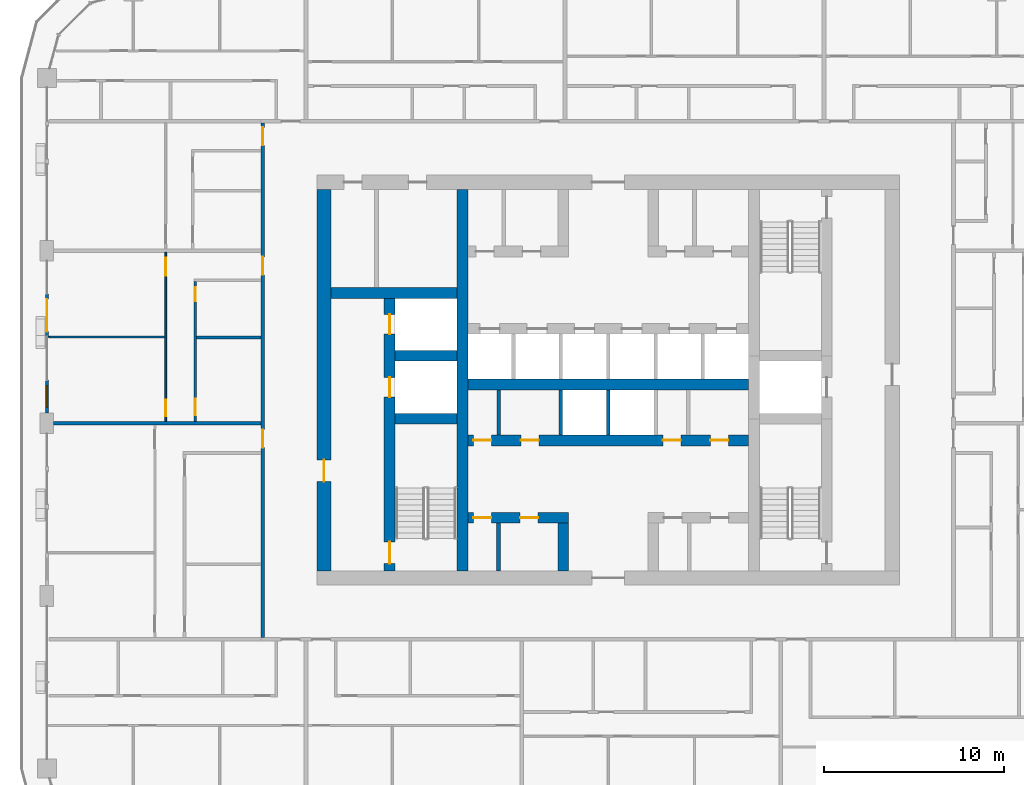
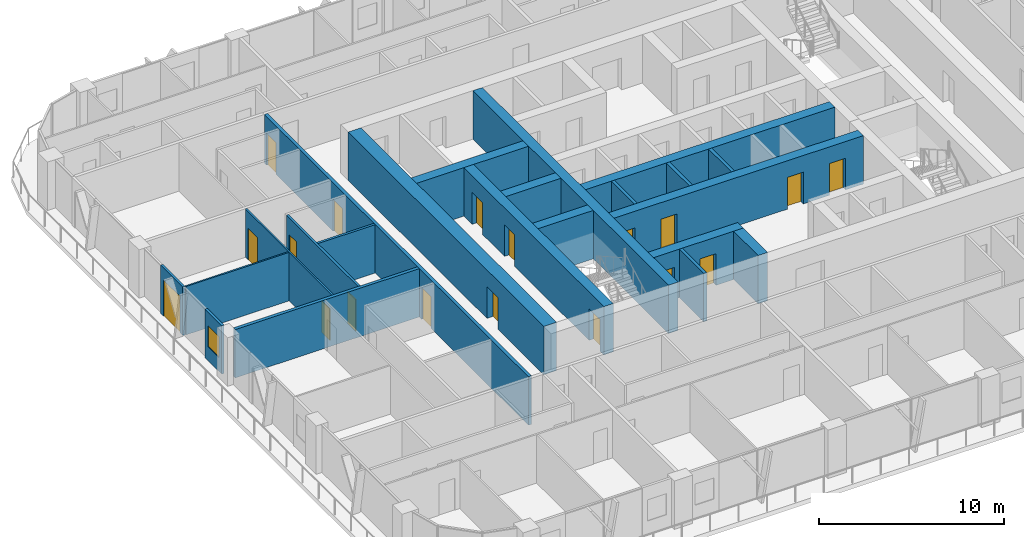
# One storey, part 10 of 22: 22 walls, 18 doors, 1 window, 19 openings.
"""IFC4 building model written with IfcOpenShell, lengths in metres."""

import ifcopenshell
import ifcopenshell.guid

model = None  # the IFC model being written
_history = None  # IfcOwnerHistory: only IFC2X3 demands one
_inside = {}  # id of a spatial element -> (the spatial element, [elements in it])
_under = {}  # id of a project, library or spatial element -> (it, [spatial elements below it])
_declared = {}  # id of a project -> (the project, [libraries it declares])
_typed = {}  # id of a type object -> (the type object, [elements of that type])
_made_of = {}  # id of a material, layer set ... -> (it, [elements and type objects made of it])


def new_model(schema):
    """Start an empty IFC model of exactly this schema.

    Asked for "IFC4X3", IfcOpenShell would pick the latest addendum, in which some entities
    have other attributes; the version numbers below select the first issue.
    IFC2X3 requires an IfcOwnerHistory on every rooted entity: one is made here for all.
    """
    global model, _history
    if schema == "IFC4X3":
        model = ifcopenshell.file(schema_version=(4, 3, 0, 0))
    else:
        model = ifcopenshell.file(schema=schema)
    _inside.clear()
    _under.clear()
    _declared.clear()
    _typed.clear()
    _made_of.clear()
    _history = None
    if model.schema == "IFC2X3":
        org = make("IfcOrganization", Name="unknown")
        user = make(
            "IfcPersonAndOrganization",
            ThePerson=make("IfcPerson", FamilyName="unknown"),
            TheOrganization=org,
        )
        app = make(
            "IfcApplication",
            ApplicationDeveloper=org,
            Version="unknown",
            ApplicationFullName="unknown",
            ApplicationIdentifier="unknown",
        )
        _history = make(
            "IfcOwnerHistory",
            OwningUser=user,
            OwningApplication=app,
            ChangeAction="ADDED",
            CreationDate=0,
        )
    return model


def make(cls, **values):
    """One entity of the class cls with the attributes given. An attribute that is None is left unset."""
    return model.create_entity(
        cls, **{name: value for name, value in values.items() if value is not None}
    )


def rooted(cls, **values):
    """An entity with a GlobalId (a new one), such as an element, a storey or a relation."""
    return make(cls, GlobalId=ifcopenshell.guid.new(), OwnerHistory=_history, **values)


def si_unit(unit_type, name, prefix=None):
    """IfcSIUnit, for example si_unit("LENGTHUNIT", "METRE", prefix="MILLI")."""
    return make("IfcSIUnit", UnitType=unit_type, Prefix=prefix, Name=name)


def assignment(units):
    """IfcUnitAssignment: the units of a project."""
    return None if units is None else make("IfcUnitAssignment", Units=units)


def point(xyz):
    """IfcCartesianPoint."""
    return None if xyz is None else make("IfcCartesianPoint", Coordinates=xyz)


def direction(xyz):
    """IfcDirection."""
    return None if xyz is None else make("IfcDirection", DirectionRatios=xyz)


def frame(location, z_axis=None, x_axis=None):
    """IfcAxis2Placement3D, a coordinate frame: its origin and axes. An axis left out is left unset."""
    return make(
        "IfcAxis2Placement3D",
        Location=point(location),
        Axis=direction(z_axis),
        RefDirection=direction(x_axis),
    )


def frame_2d(location, x_axis=None):
    """IfcAxis2Placement2D, a coordinate frame in the plane: its origin and x axis."""
    return make(
        "IfcAxis2Placement2D", Location=point(location), RefDirection=direction(x_axis)
    )


def origin():
    """The frame at (0, 0, 0) with its axes left unset."""
    return frame((0.0, 0.0, 0.0))


def place(relative_to, where):
    """IfcLocalPlacement: puts the frame where relative to a parent placement (None: the world)."""
    return make(
        "IfcLocalPlacement", PlacementRelTo=relative_to, RelativePlacement=where
    )


def context(
    kind, dimensions, precision=None, world=None, true_north=None, identifier=None
):
    """IfcGeometricRepresentationContext, for example the 3D "Model" context."""
    return make(
        "IfcGeometricRepresentationContext",
        ContextIdentifier=identifier,
        ContextType=kind,
        CoordinateSpaceDimension=dimensions,
        Precision=precision,
        WorldCoordinateSystem=world,
        TrueNorth=true_north,
    )


def subcontext(parent, identifier, kind, view, scale=None):
    """IfcGeometricRepresentationSubContext, for example "Body" below "Model"."""
    return make(
        "IfcGeometricRepresentationSubContext",
        ContextIdentifier=identifier,
        ContextType=kind,
        ParentContext=parent,
        TargetScale=scale,
        TargetView=view,
    )


def project(units=None, contexts=None):
    """IfcProject with its units and contexts."""
    return rooted(
        "IfcProject",
        Name="project",
        RepresentationContexts=contexts,
        UnitsInContext=assignment(units),
    )


def spatial(cls, under=None, at=None, **own):
    """A site, building, storey or space (cls), placed at a placement, below another one or the project."""
    s = rooted(cls, ObjectPlacement=at, **own)
    if under is not None:
        _under.setdefault(under.id(), (under, []))[1].append(s)
    return s


def profile(cls, at=None, kind="AREA", **sizes):
    """A parametric profile (cls). Its sizes go by their IFC names, for example OverallWidth=200.0."""
    return make(cls, ProfileType=kind, Position=at, **sizes)


def rectangle(**sizes):
    """IfcRectangleProfileDef."""
    return profile("IfcRectangleProfileDef", **sizes)


def extrude(swept, where, along, depth):
    """IfcExtrudedAreaSolid: the profile swept, set in the frame where, extruded along a direction by depth."""
    return make(
        "IfcExtrudedAreaSolid",
        SweptArea=swept,
        Position=where,
        ExtrudedDirection=direction(along),
        Depth=depth,
    )


def shape(context_of_items, identifier, shape_type, items):
    """IfcShapeRepresentation: the items that make up one representation, for example the "Body"."""
    return make(
        "IfcShapeRepresentation",
        ContextOfItems=context_of_items,
        RepresentationIdentifier=identifier,
        RepresentationType=shape_type,
        Items=items,
    )


def material(Name=None, Category=None):
    """IfcMaterial."""
    return make("IfcMaterial", Name=Name, Category=Category)


def layer(
    of_material, thickness, ventilated=None, Name=None, Category=None, Priority=None
):
    """IfcMaterialLayer: one layer of a wall or slab, of a material (None: an air gap)."""
    return make(
        "IfcMaterialLayer",
        Material=of_material,
        LayerThickness=thickness,
        IsVentilated=ventilated,
        Name=Name,
        Category=Category,
        Priority=Priority,
    )


def layer_set(layers, Name=None):
    """IfcMaterialLayerSet."""
    return make("IfcMaterialLayerSet", MaterialLayers=layers, LayerSetName=Name)


def made_of(thing, what):
    """Note that an element or type object is made of a material, layer set ...; save() writes the relation."""
    if what is not None:
        _made_of.setdefault(what.id(), (what, []))[1].append(thing)
    return thing


def type_object(cls, material=None, **own):
    """A type object (cls), such as IfcWallType, which elements share."""
    return made_of(rooted(cls, **own), material)


def element(
    cls,
    number,
    at=None,
    inside=None,
    cuts=None,
    type_object=None,
    material=None,
    context=None,
    identifier="Body",
    shape_type=None,
    held_by="IfcProductDefinitionShape",
    body=None,
    shapes=None,
    **own,
):
    """One element of the class cls, such as IfcWall. Its Tag is "e" and its number.

    at: its placement. inside: the storey or other place that contains it. cuts: it is an
    opening in that element (IfcRelVoidsElement). A single representation is given by context,
    identifier, shape_type and body (its items); several are given by shapes. held_by: the class
    of the entity that holds the representations. save() writes the other relations.
    """
    e = rooted(cls, Tag="e%d" % number, ObjectPlacement=at, **own)
    if body is not None:
        shapes = [shape(context, identifier, shape_type, body)]
    if shapes is not None:
        e.Representation = make(held_by, Representations=shapes)
    if inside is not None:
        _inside.setdefault(inside.id(), (inside, []))[1].append(e)
    if cuts is not None:
        rooted(
            "IfcRelVoidsElement", RelatingBuildingElement=cuts, RelatedOpeningElement=e
        )
    if type_object is not None:
        _typed.setdefault(type_object.id(), (type_object, []))[1].append(e)
    return made_of(e, material)


def fill(opening, filler):
    """IfcRelFillsElement: the door or window that sits in an opening."""
    return rooted(
        "IfcRelFillsElement",
        RelatingOpeningElement=opening,
        RelatedBuildingElement=filler,
    )


def aggregate(whole, parts):
    """IfcRelAggregates: a whole, such as a stair, and the parts it consists of."""
    return rooted("IfcRelAggregates", RelatingObject=whole, RelatedObjects=parts)


def save(model, path):
    """Write the relations noted so far, then the file.

    IfcRelAggregates (storeys below a building ...), IfcRelContainedInSpatialStructure (elements
    in a storey), IfcRelDefinesByType, IfcRelAssociatesMaterial and IfcRelDeclares: one each for
    every whole, place, type object, material and project.
    """
    for whole, parts in _under.values():
        aggregate(whole, parts)
    for where, things in _inside.values():
        rooted(
            "IfcRelContainedInSpatialStructure",
            RelatedElements=things,
            RelatingStructure=where,
        )
    for kind, things in _typed.values():
        rooted("IfcRelDefinesByType", RelatedObjects=things, RelatingType=kind)
    for what, things in _made_of.values():
        rooted("IfcRelAssociatesMaterial", RelatedObjects=things, RelatingMaterial=what)
    for by, libraries in _declared.values():
        rooted("IfcRelDeclares", RelatingContext=by, RelatedDefinitions=libraries)
    model.write(path)


model = new_model("IFC4")

# Units and contexts
model_context = context("Model", 3, precision=1e-05, world=origin(), true_north=direction((0.0, 1.0)))
body_context = subcontext(model_context, "Body", "Model", "MODEL_VIEW")
ifc_project = project(units=[si_unit("LENGTHUNIT", "METRE"), si_unit("AREAUNIT", "SQUARE_METRE"), si_unit("VOLUMEUNIT", "CUBIC_METRE"), si_unit("PLANEANGLEUNIT", "RADIAN"), si_unit("MASSUNIT", "GRAM", prefix="KILO")], contexts=[model_context])

# Site, building, storey
site_placement = place(None, origin())
site = spatial("IfcSite", under=ifc_project, at=site_placement, CompositionType="ELEMENT")
building_placement = place(site_placement, origin())
building = spatial("IfcBuilding", under=site, at=building_placement, Name="Madar Terraces", CompositionType="ELEMENT")
storey_placement = place(building_placement, frame((0.0, 0.0, 156.0)))
storey = spatial("IfcBuildingStorey", under=building, at=storey_placement, Name="L40", CompositionType="ELEMENT", Elevation=156.0)

# Wall, openings, doors
ifc_material_1 = material(Name="Concrete C70/85", Category="concrete")
ifc_layer_1 = layer(ifc_material_1, 0.60009765625)
ifc_layer_set_1 = layer_set([ifc_layer_1], Name="Concrete C70/85 (CIW3 RC wall 600)")
wall_type_1 = type_object("IfcWallType", Name="CIW3 RC wall 600", PredefinedType="SHEAR", material=ifc_layer_set_1)
wall_1_placement = place(storey_placement, frame((19.050048828125, 15.800048828125, 0.0), z_axis=(0.0, 0.0, 1.0), x_axis=(0.0, 1.0, 0.0)))
wall_1 = element("IfcWall", 1, at=wall_1_placement, inside=storey, type_object=wall_type_1, Name="CORE SHAFT WALL", PredefinedType="SHEAR", context=body_context, shape_type="SweptSolid", body=[
    extrude(rectangle(XDim=15.14990234375, YDim=0.60009765625, at=frame_2d((7.574951171875, 0.0))), origin(), (0.0, 0.0, 1.0), 3.199951171875),
])
opening_1_placement = place(wall_1_placement, frame((9.64990234375, 0.0, 0.0)))
opening_1 = element("IfcOpeningElement", 2, at=opening_1_placement, cuts=wall_1, Name="Opening LD", PredefinedType="OPENING", context=body_context, shape_type="SweptSolid", body=[
    extrude(rectangle(XDim=1.10009765625, YDim=2.10009765625, at=frame_2d((0.550048828125, 1.050048828125))), frame((0.0, 0.31005859375, 0.0), z_axis=(0.0, -1.0, 0.0), x_axis=(1.0, 0.0, 0.0)), (0.0, 0.0, 1.0), 0.6201171875),
])
opening_2_placement = place(wall_1_placement, frame((13.14990234375, 0.0, 0.0)))
opening_2 = element("IfcOpeningElement", 3, at=opening_2_placement, cuts=wall_1, Name="Opening LD", PredefinedType="OPENING", context=body_context, shape_type="SweptSolid", body=[
    extrude(rectangle(XDim=1.10009765625, YDim=2.10009765625, at=frame_2d((0.550048828125, 1.050048828125))), frame((0.0, 0.31005859375, 0.0), z_axis=(0.0, -1.0, 0.0), x_axis=(1.0, 0.0, 0.0)), (0.0, 0.0, 1.0), 0.6201171875),
])
opening_3_placement = place(wall_1_placement, frame((0.39990234375, 0.0, 0.0)))
opening_3 = element("IfcOpeningElement", 4, at=opening_3_placement, cuts=wall_1, Name="Opening SD1", PredefinedType="OPENING", context=body_context, shape_type="SweptSolid", body=[
    extrude(rectangle(XDim=1.199951171875, YDim=2.10009765625, at=frame_2d((0.60009765625, 1.050048828125))), frame((0.0, 0.31005859375, 0.0), z_axis=(0.0, -1.0, 0.0), x_axis=(1.0, 0.0, 0.0)), (0.0, 0.0, 1.0), 0.6201171875),
])
ifc_material_2 = material(Name="Stainless steel panel", Category="steel")
door_type_1 = type_object("IfcDoorType", Name="Lift landing door 1100 x 2100", OperationType="DOUBLE_DOOR_SLIDING", PredefinedType="DOOR", material=ifc_material_2)
door_1_placement = place(opening_1_placement, origin())
door_1 = element("IfcDoor", 5, at=door_1_placement, inside=storey, type_object=door_type_1, Name="LIFT LANDING DOOR", OperationType="DOUBLE_DOOR_SLIDING", OverallHeight=2.10009765625, OverallWidth=1.10009765625, PredefinedType="DOOR", context=body_context, shape_type="SweptSolid", body=[
    extrude(rectangle(XDim=1.10009765625, YDim=2.10009765625, at=frame_2d((0.550048828125, 1.050048828125))), frame((0.0, 0.02490234375, 0.0), z_axis=(0.0, -1.0, 0.0), x_axis=(1.0, 0.0, 0.0)), (0.0, 0.0, 1.0), 0.050048828125),
])
fill(opening_1, door_1)
door_2_placement = place(opening_2_placement, origin())
door_2 = element("IfcDoor", 6, at=door_2_placement, inside=storey, type_object=door_type_1, Name="LIFT LANDING DOOR", OperationType="DOUBLE_DOOR_SLIDING", OverallHeight=2.10009765625, OverallWidth=1.10009765625, PredefinedType="DOOR", context=body_context, shape_type="SweptSolid", body=[
    extrude(rectangle(XDim=1.10009765625, YDim=2.10009765625, at=frame_2d((0.550048828125, 1.050048828125))), frame((0.0, 0.02490234375, 0.0), z_axis=(0.0, -1.0, 0.0), x_axis=(1.0, 0.0, 0.0)), (0.0, 0.0, 1.0), 0.050048828125),
])
fill(opening_2, door_2)
ifc_material_3 = material(Name="Steel door leaf", Category="steel")
door_type_2 = type_object("IfcDoorType", Name="Stair door 1200 x 2100", OperationType="NOTDEFINED", PredefinedType="DOOR", material=ifc_material_3)
door_3_placement = place(opening_3_placement, frame((1.199951171875, 0.0, 0.0), z_axis=(0.0, 0.0, 1.0), x_axis=(-1.0, 0.0, 0.0)))
door_3 = element("IfcDoor", 7, at=door_3_placement, inside=storey, type_object=door_type_2, Name="STAIR DOOR", OperationType="SINGLE_SWING_RIGHT", OverallHeight=2.10009765625, OverallWidth=1.199951171875, PredefinedType="DOOR", context=body_context, shape_type="SweptSolid", body=[
    extrude(rectangle(XDim=1.199951171875, YDim=2.10009765625, at=frame_2d((0.60009765625, 1.050048828125))), frame((0.0, 0.02490234375, 0.0), z_axis=(0.0, -1.0, 0.0), x_axis=(1.0, 0.0, 0.0)), (0.0, 0.0, 1.0), 0.050048828125),
])
fill(opening_3, door_3)

# Walls
wall_2_placement = place(storey_placement, frame((23.10009765625, 15.800048828125, 0.0), z_axis=(0.0, 0.0, 1.0), x_axis=(0.0, 1.0, 0.0)))
element("IfcWall", 8, at=wall_2_placement, inside=storey, type_object=wall_type_1, Name="CORE SHAFT WALL", PredefinedType="SHEAR", context=body_context, shape_type="SweptSolid", body=[
    extrude(rectangle(XDim=21.199951171875, YDim=0.60009765625, at=frame_2d((10.60009765625, 0.0))), origin(), (0.0, 0.0, 1.0), 3.199951171875),
])
for number, where, z_axis, x_axis, name in (
    (9, (19.35009765625, 24.25, 0.0), (0.0, 0.0, 1.0), (1.0, 0.0, 0.0), "CORE SHAFT WALL"),
    (10, (19.35009765625, 27.75, 0.0), (0.0, 0.0, 1.0), (1.0, 0.0, 0.0), "CORE SHAFT WALL"),
):
    element("IfcWall", number, at=place(storey_placement, frame(where, z_axis=z_axis, x_axis=x_axis)), inside=storey, type_object=wall_type_1, Name=name, PredefinedType="SHEAR", context=body_context, shape_type="SweptSolid", body=[
        extrude(rectangle(XDim=3.449951171875, YDim=0.60009765625, at=frame_2d((1.72509765625, 0.0))), origin(), (0.0, 0.0, 1.0), 3.199951171875),
    ])
wall_3_placement = place(storey_placement, frame((15.800048828125, 31.25, 0.0), z_axis=(0.0, 0.0, 1.0), x_axis=(1.0, 0.0, 0.0)))
element("IfcWall", 11, at=wall_3_placement, inside=storey, type_object=wall_type_1, Name="CORE SHAFT WALL", PredefinedType="SHEAR", context=body_context, shape_type="SweptSolid", body=[
    extrude(rectangle(XDim=7.0, YDim=0.60009765625, at=frame_2d((3.5, 0.0))), origin(), (0.0, 0.0, 1.0), 3.199951171875),
])

# Wall, openings, doors
wall_4_placement = place(storey_placement, frame((23.39990234375, 18.75, 0.0), z_axis=(0.0, 0.0, 1.0), x_axis=(1.0, 0.0, 0.0)))
wall_4 = element("IfcWall", 12, at=wall_4_placement, inside=storey, type_object=wall_type_1, Name="CORE SHAFT WALL", PredefinedType="SHEAR", context=body_context, shape_type="SweptSolid", body=[
    extrude(rectangle(XDim=5.60009765625, YDim=0.60009765625, at=frame_2d((2.800048828125, 0.0))), origin(), (0.0, 0.0, 1.0), 3.199951171875),
])
opening_4_placement = place(wall_4_placement, frame((0.300048828125, 0.0, 0.0)))
opening_4 = element("IfcOpeningElement", 13, at=opening_4_placement, cuts=wall_4, Name="Opening KD2", PredefinedType="OPENING", context=body_context, shape_type="SweptSolid", body=[
    extrude(rectangle(XDim=1.0, YDim=2.10009765625, at=frame_2d((0.5, 1.050048828125))), frame((0.0, 0.31005859375, 0.0), z_axis=(0.0, -1.0, 0.0), x_axis=(1.0, 0.0, 0.0)), (0.0, 0.0, 1.0), 0.6201171875),
])
opening_5_placement = place(wall_4_placement, frame((2.89990234375, 0.0, 0.0)))
opening_5 = element("IfcOpeningElement", 14, at=opening_5_placement, cuts=wall_4, Name="Opening KD2", PredefinedType="OPENING", context=body_context, shape_type="SweptSolid", body=[
    extrude(rectangle(XDim=1.0, YDim=2.10009765625, at=frame_2d((0.5, 1.050048828125))), frame((0.0, 0.31005859375, 0.0), z_axis=(0.0, -1.0, 0.0), x_axis=(1.0, 0.0, 0.0)), (0.0, 0.0, 1.0), 0.6201171875),
])
ifc_material_4 = material(Name="Steel door leaf", Category="steel")
door_type_3 = type_object("IfcDoorType", Name="Service room door 1000 x 2100", OperationType="NOTDEFINED", PredefinedType="DOOR", material=ifc_material_4)
door_4_placement = place(opening_4_placement, origin())
door_4 = element("IfcDoor", 15, at=door_4_placement, inside=storey, type_object=door_type_3, Name="SERVICE ROOM DOOR", OperationType="SINGLE_SWING_LEFT", OverallHeight=2.10009765625, OverallWidth=1.0, PredefinedType="DOOR", context=body_context, shape_type="SweptSolid", body=[
    extrude(rectangle(XDim=1.0, YDim=2.10009765625, at=frame_2d((0.5, 1.050048828125))), frame((0.0, 0.02490234375, 0.0), z_axis=(0.0, -1.0, 0.0), x_axis=(1.0, 0.0, 0.0)), (0.0, 0.0, 1.0), 0.050048828125),
])
fill(opening_4, door_4)
door_5_placement = place(opening_5_placement, origin())
door_5 = element("IfcDoor", 16, at=door_5_placement, inside=storey, type_object=door_type_3, Name="SERVICE ROOM DOOR", OperationType="SINGLE_SWING_RIGHT", OverallHeight=2.10009765625, OverallWidth=1.0, PredefinedType="DOOR", context=body_context, shape_type="SweptSolid", body=[
    extrude(rectangle(XDim=1.0, YDim=2.10009765625, at=frame_2d((0.5, 1.050048828125))), frame((0.0, 0.02490234375, 0.0), z_axis=(0.0, -1.0, 0.0), x_axis=(1.0, 0.0, 0.0)), (0.0, 0.0, 1.0), 0.050048828125),
])
fill(opening_5, door_5)

wall_5_placement = place(storey_placement, frame((23.39990234375, 23.050048828125, 0.0), z_axis=(0.0, 0.0, 1.0), x_axis=(1.0, 0.0, 0.0)))
wall_5 = element("IfcWall", 17, at=wall_5_placement, inside=storey, type_object=wall_type_1, Name="CORE SHAFT WALL", PredefinedType="SHEAR", context=body_context, shape_type="SweptSolid", body=[
    extrude(rectangle(XDim=15.60009765625, YDim=0.60009765625, at=frame_2d((7.800048828125, 0.0))), origin(), (0.0, 0.0, 1.0), 3.199951171875),
])
opening_6_placement = place(wall_5_placement, frame((0.311279296875, 0.0, 0.0)))
opening_6 = element("IfcOpeningElement", 18, at=opening_6_placement, cuts=wall_5, Name="Opening KD2", PredefinedType="OPENING", context=body_context, shape_type="SweptSolid", body=[
    extrude(rectangle(XDim=1.0, YDim=2.10009765625, at=frame_2d((0.5, 1.050048828125))), frame((0.0, 0.31005859375, 0.0), z_axis=(0.0, -1.0, 0.0), x_axis=(1.0, 0.0, 0.0)), (0.0, 0.0, 1.0), 0.6201171875),
])
opening_7_placement = place(wall_5_placement, frame((2.944580078125, 0.0, 0.0)))
opening_7 = element("IfcOpeningElement", 19, at=opening_7_placement, cuts=wall_5, Name="Opening KD2", PredefinedType="OPENING", context=body_context, shape_type="SweptSolid", body=[
    extrude(rectangle(XDim=1.0, YDim=2.10009765625, at=frame_2d((0.5, 1.050048828125))), frame((0.0, 0.31005859375, 0.0), z_axis=(0.0, -1.0, 0.0), x_axis=(1.0, 0.0, 0.0)), (0.0, 0.0, 1.0), 0.6201171875),
])
opening_8_placement = place(wall_5_placement, frame((10.8447265625, 0.0, 0.0)))
opening_8 = element("IfcOpeningElement", 20, at=opening_8_placement, cuts=wall_5, Name="Opening KD2", PredefinedType="OPENING", context=body_context, shape_type="SweptSolid", body=[
    extrude(rectangle(XDim=1.0, YDim=2.10009765625, at=frame_2d((0.5, 1.050048828125))), frame((0.0, 0.31005859375, 0.0), z_axis=(0.0, -1.0, 0.0), x_axis=(1.0, 0.0, 0.0)), (0.0, 0.0, 1.0), 0.6201171875),
])
opening_9_placement = place(wall_5_placement, frame((13.47802734375, 0.0, 0.0)))
opening_9 = element("IfcOpeningElement", 21, at=opening_9_placement, cuts=wall_5, Name="Opening KD2", PredefinedType="OPENING", context=body_context, shape_type="SweptSolid", body=[
    extrude(rectangle(XDim=1.0, YDim=2.10009765625, at=frame_2d((0.5, 1.050048828125))), frame((0.0, 0.31005859375, 0.0), z_axis=(0.0, -1.0, 0.0), x_axis=(1.0, 0.0, 0.0)), (0.0, 0.0, 1.0), 0.6201171875),
])
door_6_placement = place(opening_6_placement, frame((1.0, 0.0, 0.0), z_axis=(0.0, 0.0, 1.0), x_axis=(-1.0, 0.0, 0.0)))
door_6 = element("IfcDoor", 22, at=door_6_placement, inside=storey, type_object=door_type_3, Name="SERVICE ROOM DOOR", OperationType="SINGLE_SWING_LEFT", OverallHeight=2.10009765625, OverallWidth=1.0, PredefinedType="DOOR", context=body_context, shape_type="SweptSolid", body=[
    extrude(rectangle(XDim=1.0, YDim=2.10009765625, at=frame_2d((0.5, 1.050048828125))), frame((0.0, 0.02490234375, 0.0), z_axis=(0.0, -1.0, 0.0), x_axis=(1.0, 0.0, 0.0)), (0.0, 0.0, 1.0), 0.050048828125),
])
fill(opening_6, door_6)
door_7_placement = place(opening_7_placement, frame((1.0, 0.0, 0.0), z_axis=(0.0, 0.0, 1.0), x_axis=(-1.0, 0.0, 0.0)))
door_7 = element("IfcDoor", 23, at=door_7_placement, inside=storey, type_object=door_type_3, Name="SERVICE ROOM DOOR", OperationType="SINGLE_SWING_RIGHT", OverallHeight=2.10009765625, OverallWidth=1.0, PredefinedType="DOOR", context=body_context, shape_type="SweptSolid", body=[
    extrude(rectangle(XDim=1.0, YDim=2.10009765625, at=frame_2d((0.5, 1.050048828125))), frame((0.0, 0.02490234375, 0.0), z_axis=(0.0, -1.0, 0.0), x_axis=(1.0, 0.0, 0.0)), (0.0, 0.0, 1.0), 0.050048828125),
])
fill(opening_7, door_7)
door_8_placement = place(opening_8_placement, frame((1.0, 0.0, 0.0), z_axis=(0.0, 0.0, 1.0), x_axis=(-1.0, 0.0, 0.0)))
door_8 = element("IfcDoor", 24, at=door_8_placement, inside=storey, type_object=door_type_3, Name="SERVICE ROOM DOOR", OperationType="SINGLE_SWING_LEFT", OverallHeight=2.10009765625, OverallWidth=1.0, PredefinedType="DOOR", context=body_context, shape_type="SweptSolid", body=[
    extrude(rectangle(XDim=1.0, YDim=2.10009765625, at=frame_2d((0.5, 1.050048828125))), frame((0.0, 0.02490234375, 0.0), z_axis=(0.0, -1.0, 0.0), x_axis=(1.0, 0.0, 0.0)), (0.0, 0.0, 1.0), 0.050048828125),
])
fill(opening_8, door_8)
door_9_placement = place(opening_9_placement, frame((1.0, 0.0, 0.0), z_axis=(0.0, 0.0, 1.0), x_axis=(-1.0, 0.0, 0.0)))
door_9 = element("IfcDoor", 25, at=door_9_placement, inside=storey, type_object=door_type_3, Name="SERVICE ROOM DOOR", OperationType="SINGLE_SWING_RIGHT", OverallHeight=2.10009765625, OverallWidth=1.0, PredefinedType="DOOR", context=body_context, shape_type="SweptSolid", body=[
    extrude(rectangle(XDim=1.0, YDim=2.10009765625, at=frame_2d((0.5, 1.050048828125))), frame((0.0, 0.02490234375, 0.0), z_axis=(0.0, -1.0, 0.0), x_axis=(1.0, 0.0, 0.0)), (0.0, 0.0, 1.0), 0.050048828125),
])
fill(opening_9, door_9)

# Walls
wall_6_placement = place(storey_placement, frame((23.39990234375, 26.14990234375, 0.0), z_axis=(0.0, 0.0, 1.0), x_axis=(1.0, 0.0, 0.0)))
element("IfcWall", 26, at=wall_6_placement, inside=storey, type_object=wall_type_1, Name="CORE SHAFT WALL", PredefinedType="SHEAR", context=body_context, shape_type="SweptSolid", body=[
    extrude(rectangle(XDim=15.60009765625, YDim=0.60009765625, at=frame_2d((7.800048828125, 0.0))), origin(), (0.0, 0.0, 1.0), 3.199951171875),
])
wall_7_placement = place(storey_placement, frame((28.699951171875, 15.800048828125, 0.0), z_axis=(0.0, 0.0, 1.0), x_axis=(0.0, 1.0, 0.0)))
element("IfcWall", 27, at=wall_7_placement, inside=storey, type_object=wall_type_1, Name="CORE SHAFT WALL", PredefinedType="SHEAR", context=body_context, shape_type="SweptSolid", body=[
    extrude(rectangle(XDim=2.64990234375, YDim=0.60009765625, at=frame_2d((1.324951171875, 0.0))), origin(), (0.0, 0.0, 1.0), 3.199951171875),
])

# Wall, opening, door
ifc_material_5 = material(Name="Concrete C70/85", Category="concrete")
ifc_layer_2 = layer(ifc_material_5, 0.800048828125)
ifc_layer_set_2 = layer_set([ifc_layer_2], Name="Concrete C70/85 (CRW3 RC wall 800)")
wall_type_2 = type_object("IfcWallType", Name="CRW3 RC wall 800", PredefinedType="SHEAR", material=ifc_layer_set_2)
wall_8_placement = place(storey_placement, frame((15.39990234375, 15.800048828125, 0.0), z_axis=(0.0, 0.0, 1.0), x_axis=(0.0, 1.0, 0.0)))
wall_8 = element("IfcWall", 28, at=wall_8_placement, inside=storey, type_object=wall_type_2, Name="CORE OUTER WALL", PredefinedType="SHEAR", context=body_context, shape_type="SweptSolid", body=[
    extrude(rectangle(XDim=21.199951171875, YDim=0.800048828125, at=frame_2d((10.60009765625, 0.0))), origin(), (0.0, 0.0, 1.0), 3.199951171875),
])
opening_10_placement = place(wall_8_placement, frame((4.9599609375, 0.0, 0.0)))
opening_10 = element("IfcOpeningElement", 29, at=opening_10_placement, cuts=wall_8, Name="Opening SD1", PredefinedType="OPENING", context=body_context, shape_type="SweptSolid", body=[
    extrude(rectangle(XDim=1.199951171875, YDim=2.10009765625, at=frame_2d((0.60009765625, 1.050048828125))), frame((0.0, 0.409912109375, 0.0), z_axis=(0.0, -1.0, 0.0), x_axis=(1.0, 0.0, 0.0)), (0.0, 0.0, 1.0), 0.820068359375),
])
door_10_placement = place(opening_10_placement, frame((1.199951171875, 0.0, 0.0), z_axis=(0.0, 0.0, 1.0), x_axis=(-1.0, 0.0, 0.0)))
door_10 = element("IfcDoor", 30, at=door_10_placement, inside=storey, type_object=door_type_2, Name="STAIR DOOR", OperationType="SINGLE_SWING_LEFT", OverallHeight=2.10009765625, OverallWidth=1.199951171875, PredefinedType="DOOR", context=body_context, shape_type="SweptSolid", body=[
    extrude(rectangle(XDim=1.199951171875, YDim=2.10009765625, at=frame_2d((0.60009765625, 1.050048828125))), frame((0.0, 0.02490234375, 0.0), z_axis=(0.0, -1.0, 0.0), x_axis=(1.0, 0.0, 0.0)), (0.0, 0.0, 1.0), 0.050048828125),
])
fill(opening_10, door_10)

# Walls
ifc_material_6 = material(Name="Masonry blockwork", Category="masonry")
ifc_layer_3 = layer(ifc_material_6, 0.199951171875)
ifc_layer_set_3 = layer_set([ifc_layer_3], Name="Core partition 200 blockwork")
wall_type_3 = type_object("IfcWallType", Name="Core partition 200 blockwork", PredefinedType="PARTITIONING", material=ifc_layer_set_3)
wall_9_placement = place(storey_placement, frame((25.12255859375, 23.35009765625, 0.0), z_axis=(0.0, 0.0, 1.0), x_axis=(0.0, 1.0, 0.0)))
element("IfcWall", 31, at=wall_9_placement, inside=storey, type_object=wall_type_3, Name="SERVICE ROOM PARTITION", PredefinedType="PARTITIONING", context=body_context, shape_type="SweptSolid", body=[
    extrude(rectangle(XDim=2.5, YDim=0.199951171875, at=frame_2d((1.25, 0.0))), origin(), (0.0, 0.0, 1.0), 3.199951171875),
])
wall_10_placement = place(storey_placement, frame((25.10009765625, 15.800048828125, 0.0), z_axis=(0.0, 0.0, 1.0), x_axis=(0.0, 1.0, 0.0)))
element("IfcWall", 32, at=wall_10_placement, inside=storey, type_object=wall_type_3, Name="SERVICE ROOM PARTITION", PredefinedType="PARTITIONING", context=body_context, shape_type="SweptSolid", body=[
    extrude(rectangle(XDim=2.64990234375, YDim=0.199951171875, at=frame_2d((1.324951171875, 0.0))), origin(), (0.0, 0.0, 1.0), 3.199951171875),
])
ifc_material_7 = material(Name="Concrete C40/50", Category="concrete")
ifc_layer_4 = layer(ifc_material_7, 0.199951171875)
ifc_layer_set_4 = layer_set([ifc_layer_4], Name="Core shaft dividing wall 200 C40/50")
wall_type_4 = type_object("IfcWallType", Name="Core shaft dividing wall 200 C40/50", PredefinedType="SOLIDWALL", material=ifc_layer_set_4)
for number, where, z_axis, x_axis, name in (
    (33, (28.566650390625, 23.35009765625, 0.0), (0.0, 0.0, 1.0), (0.0, 1.0, 0.0), "SHAFT DIVIDING WALL"),
    (34, (31.199951171875, 23.35009765625, 0.0), (0.0, 0.0, 1.0), (0.0, 1.0, 0.0), "SHAFT DIVIDING WALL"),
):
    element("IfcWall", number, at=place(storey_placement, frame(where, z_axis=z_axis, x_axis=x_axis)), inside=storey, type_object=wall_type_4, Name=name, PredefinedType="SOLIDWALL", context=body_context, shape_type="SweptSolid", body=[
        extrude(rectangle(XDim=2.5, YDim=0.199951171875, at=frame_2d((1.25, 0.0))), origin(), (0.0, 0.0, 1.0), 3.199951171875),
    ])

# Wall, opening, door
ifc_material_8 = material(Name="Aluminium composite panel, black, over insulated backing", Category="aluminium")
ifc_layer_5 = layer(ifc_material_8, 0.14990234375)
ifc_layer_set_5 = layer_set([ifc_layer_5], Name="Facade bay panel 150")
wall_type_5 = type_object("IfcWallType", Name="Facade bay panel 150", PredefinedType="SOLIDWALL", material=ifc_layer_set_5)
wall_11_placement = place(storey_placement, frame((0.0, 31.199951171875, 0.0), z_axis=(0.0, 0.0, 1.0), x_axis=(0.0, -1.0, 0.0)))
wall_11 = element("IfcWall", 35, at=wall_11_placement, inside=storey, type_object=wall_type_5, Name="Facade bay panel", PredefinedType="SOLIDWALL", context=body_context, shape_type="SweptSolid", body=[
    extrude(rectangle(XDim=2.39990234375, YDim=0.14990234375, at=frame_2d((1.199951171875, 0.0))), origin(), (0.0, 0.0, 1.0), 3.199951171875),
])
opening_11_placement = place(wall_11_placement, frame((0.300048828125, 0.0, 0.0)))
opening_11 = element("IfcOpeningElement", 36, at=opening_11_placement, cuts=wall_11, Name="Opening ED1", PredefinedType="OPENING", context=body_context, shape_type="SweptSolid", body=[
    extrude(rectangle(XDim=1.800048828125, YDim=2.39990234375, at=frame_2d((0.89990234375, 1.199951171875))), frame((0.0, 0.0849609375, 0.0), z_axis=(0.0, -1.0, 0.0), x_axis=(1.0, 0.0, 0.0)), (0.0, 0.0, 1.0), 0.169921875),
])
ifc_material_9 = material(Name="Glass, clear, with black aluminium frame", Category="aluminium")
door_type_4 = type_object("IfcDoorType", Name="Balcony and terrace sliding door 1800 x 2400", OperationType="SLIDING_TO_LEFT", PredefinedType="DOOR", material=ifc_material_9)
door_11_placement = place(opening_11_placement, origin())
door_11 = element("IfcDoor", 37, at=door_11_placement, inside=storey, type_object=door_type_4, Name="Balcony door", OperationType="SLIDING_TO_RIGHT", OverallHeight=2.39990234375, OverallWidth=1.800048828125, PredefinedType="DOOR", context=body_context, shape_type="SweptSolid", body=[
    extrude(rectangle(XDim=1.800048828125, YDim=2.39990234375, at=frame_2d((0.89990234375, 1.199951171875))), frame((0.0, 0.02490234375, 0.0), z_axis=(0.0, -1.0, 0.0), x_axis=(1.0, 0.0, 0.0)), (0.0, 0.0, 1.0), 0.050048828125),
])
fill(opening_11, door_11)

# Wall, opening, window
wall_12_placement = place(storey_placement, frame((0.0, 26.39990234375, 0.0), z_axis=(0.0, 0.0, 1.0), x_axis=(0.0, -1.0, 0.0)))
wall_12 = element("IfcWall", 38, at=wall_12_placement, inside=storey, type_object=wall_type_5, Name="Facade bay panel", PredefinedType="SOLIDWALL", context=body_context, shape_type="SweptSolid", body=[
    extrude(rectangle(XDim=1.824951171875, YDim=0.14990234375, at=frame_2d((0.91259765625, 0.0))), origin(), (0.0, 0.0, 1.0), 3.199951171875),
])
opening_12_placement = place(wall_12_placement, frame((0.3125, 0.0, 0.89990234375)))
opening_12 = element("IfcOpeningElement", 39, at=opening_12_placement, cuts=wall_12, Name="Opening W1", PredefinedType="OPENING", context=body_context, shape_type="SweptSolid", body=[
    extrude(rectangle(XDim=1.199951171875, YDim=1.39990234375, at=frame_2d((0.60009765625, 0.699951171875))), frame((0.0, 0.0849609375, 0.0), z_axis=(0.0, -1.0, 0.0), x_axis=(1.0, 0.0, 0.0)), (0.0, 0.0, 1.0), 0.169921875),
])
ifc_material_10 = material(Name="Glass, clear, with black aluminium frame", Category="aluminium")
window_type = type_object("IfcWindowType", Name="Vent window 1200 x 1400", PartitioningType="SINGLE_PANEL", PredefinedType="WINDOW", material=ifc_material_10)
window_placement = place(opening_12_placement, origin())
window = element("IfcWindow", 40, at=window_placement, inside=storey, type_object=window_type, Name="Operable vent window", OverallHeight=1.39990234375, OverallWidth=1.199951171875, PartitioningType="SINGLE_PANEL", PredefinedType="WINDOW", context=body_context, shape_type="SweptSolid", body=[
    extrude(rectangle(XDim=1.199951171875, YDim=1.39990234375, at=frame_2d((0.60009765625, 0.699951171875))), frame((0.0, 0.030029296875, 0.0), z_axis=(0.0, -1.0, 0.0), x_axis=(1.0, 0.0, 0.0)), (0.0, 0.0, 1.0), 0.06005859375),
])
fill(opening_12, window)

# Wall
ifc_material_11 = material(Name="Gypsum board on steel studs", Category="steel")
ifc_layer_6 = layer(ifc_material_11, 0.10009765625)
ifc_layer_set_6 = layer_set([ifc_layer_6], Name="Flat partition 100")
wall_type_6 = type_object("IfcWallType", Name="Flat partition 100", PredefinedType="PARTITIONING", material=ifc_layer_set_6)
wall_13_placement = place(storey_placement, frame((6.550048828125, 28.800048828125, 0.0), z_axis=(0.0, 0.0, 1.0), x_axis=(-1.0, 0.0, 0.0)))
element("IfcWall", 41, at=wall_13_placement, inside=storey, type_object=wall_type_6, Name="Flat partition 100", PredefinedType="PARTITIONING", context=body_context, shape_type="SweptSolid", body=[
    extrude(rectangle(XDim=6.449951171875, YDim=0.10009765625, at=frame_2d((3.22509765625, 0.0))), origin(), (0.0, 0.0, 1.0), 3.199951171875),
])

# Wall, openings, doors
wall_14_placement = place(storey_placement, frame((6.60009765625, 24.10009765625, 0.0), z_axis=(0.0, 0.0, 1.0), x_axis=(0.0, 1.0, 0.0)))
wall_14 = element("IfcWall", 42, at=wall_14_placement, inside=storey, type_object=wall_type_6, Name="Flat partition 100", PredefinedType="PARTITIONING", context=body_context, shape_type="SweptSolid", body=[
    extrude(rectangle(XDim=9.39990234375, YDim=0.10009765625, at=frame_2d((4.699951171875, 0.0))), origin(), (0.0, 0.0, 1.0), 3.199951171875),
])
opening_13_placement = place(wall_14_placement, frame((8.10009765625, 0.0, 0.0)))
opening_13 = element("IfcOpeningElement", 43, at=opening_13_placement, cuts=wall_14, Name="Opening D3", PredefinedType="OPENING", context=body_context, shape_type="SweptSolid", body=[
    extrude(rectangle(XDim=1.0, YDim=2.10009765625, at=frame_2d((0.5, 1.050048828125))), frame((0.0, 0.06005859375, 0.0), z_axis=(0.0, -1.0, 0.0), x_axis=(1.0, 0.0, 0.0)), (0.0, 0.0, 1.0), 0.1201171875),
])
opening_14_placement = place(wall_14_placement, frame((0.300048828125, 0.0, 0.0)))
opening_14 = element("IfcOpeningElement", 44, at=opening_14_placement, cuts=wall_14, Name="Opening D2", PredefinedType="OPENING", context=body_context, shape_type="SweptSolid", body=[
    extrude(rectangle(XDim=0.89990234375, YDim=2.10009765625, at=frame_2d((0.449951171875, 1.050048828125))), frame((0.0, 0.06005859375, 0.0), z_axis=(0.0, -1.0, 0.0), x_axis=(1.0, 0.0, 0.0)), (0.0, 0.0, 1.0), 0.1201171875),
])
ifc_material_12 = material(Name="Timber door leaf", Category="wood")
door_type_5 = type_object("IfcDoorType", Name="Flat living room door 1000", OperationType="NOTDEFINED", PredefinedType="DOOR", material=ifc_material_12)
door_12_placement = place(opening_13_placement, origin())
door_12 = element("IfcDoor", 45, at=door_12_placement, inside=storey, type_object=door_type_5, Name="Flat living room door 1000", OperationType="SINGLE_SWING_RIGHT", OverallHeight=2.10009765625, OverallWidth=1.0, PredefinedType="DOOR", context=body_context, shape_type="SweptSolid", body=[
    extrude(rectangle(XDim=1.0, YDim=2.10009765625, at=frame_2d((0.5, 1.050048828125))), frame((0.0, 0.02490234375, 0.0), z_axis=(0.0, -1.0, 0.0), x_axis=(1.0, 0.0, 0.0)), (0.0, 0.0, 1.0), 0.050048828125),
])
fill(opening_13, door_12)
ifc_material_13 = material(Name="Timber door leaf", Category="wood")
door_type_6 = type_object("IfcDoorType", Name="Flat room door 900", OperationType="NOTDEFINED", PredefinedType="DOOR", material=ifc_material_13)
door_13_placement = place(opening_14_placement, origin())
door_13 = element("IfcDoor", 46, at=door_13_placement, inside=storey, type_object=door_type_6, Name="Flat room door 900", OperationType="SINGLE_SWING_LEFT", OverallHeight=2.10009765625, OverallWidth=0.89990234375, PredefinedType="DOOR", context=body_context, shape_type="SweptSolid", body=[
    extrude(rectangle(XDim=0.89990234375, YDim=2.10009765625, at=frame_2d((0.449951171875, 1.050048828125))), frame((0.0, 0.02490234375, 0.0), z_axis=(0.0, -1.0, 0.0), x_axis=(1.0, 0.0, 0.0)), (0.0, 0.0, 1.0), 0.050048828125),
])
fill(opening_14, door_13)

ifc_material_14 = material(Name="Lightweight blockwork", Category="masonry")
ifc_layer_7 = layer(ifc_material_14, 0.199951171875)
ifc_layer_set_7 = layer_set([ifc_layer_7], Name="Flat party and entrance wall 200")
wall_type_7 = type_object("IfcWallType", Name="Flat party and entrance wall 200", PredefinedType="PARTITIONING", material=ifc_layer_set_7)
wall_15_placement = place(storey_placement, frame((12.0, 12.10009765625, 0.0), z_axis=(0.0, 0.0, 1.0), x_axis=(0.0, 1.0, 0.0)))
wall_15 = element("IfcWall", 47, at=wall_15_placement, inside=storey, type_object=wall_type_7, Name="Flat party and entrance wall 200", PredefinedType="PARTITIONING", context=body_context, shape_type="SweptSolid", body=[
    extrude(rectangle(XDim=28.599853515625, YDim=0.199951171875, at=frame_2d((14.2998046875, 0.0))), origin(), (0.0, 0.0, 1.0), 3.199951171875),
])
opening_15_placement = place(wall_15_placement, frame((27.35009765625, 0.0, 0.0)))
opening_15 = element("IfcOpeningElement", 48, at=opening_15_placement, cuts=wall_15, Name="Opening D1", PredefinedType="OPENING", context=body_context, shape_type="SweptSolid", body=[
    extrude(rectangle(XDim=1.0, YDim=2.10009765625, at=frame_2d((0.5, 1.050048828125))), frame((0.0, 0.10986328125, 0.0), z_axis=(0.0, -1.0, 0.0), x_axis=(1.0, 0.0, 0.0)), (0.0, 0.0, 1.0), 0.219970703125),
])
opening_16_placement = place(wall_15_placement, frame((20.14990234375, 0.0, 0.0)))
opening_16 = element("IfcOpeningElement", 49, at=opening_16_placement, cuts=wall_15, Name="Opening D1", PredefinedType="OPENING", context=body_context, shape_type="SweptSolid", body=[
    extrude(rectangle(XDim=1.0, YDim=2.10009765625, at=frame_2d((0.5, 1.050048828125))), frame((0.0, 0.10986328125, 0.0), z_axis=(0.0, -1.0, 0.0), x_axis=(1.0, 0.0, 0.0)), (0.0, 0.0, 1.0), 0.219970703125),
])
opening_17_placement = place(wall_15_placement, frame((10.550048828125, 0.0, 0.0)))
opening_17 = element("IfcOpeningElement", 50, at=opening_17_placement, cuts=wall_15, Name="Opening D1", PredefinedType="OPENING", context=body_context, shape_type="SweptSolid", body=[
    extrude(rectangle(XDim=1.0, YDim=2.10009765625, at=frame_2d((0.5, 1.050048828125))), frame((0.0, 0.10986328125, 0.0), z_axis=(0.0, -1.0, 0.0), x_axis=(1.0, 0.0, 0.0)), (0.0, 0.0, 1.0), 0.219970703125),
])
ifc_material_15 = material(Name="Timber fire door leaf", Category="wood")
door_type_7 = type_object("IfcDoorType", Name="Flat entrance door 1000 FD30S", OperationType="NOTDEFINED", PredefinedType="DOOR", material=ifc_material_15)
door_14_placement = place(opening_15_placement, origin())
door_14 = element("IfcDoor", 51, at=door_14_placement, inside=storey, type_object=door_type_7, Name="Flat entrance door 1000 FD30S", OperationType="SINGLE_SWING_RIGHT", OverallHeight=2.10009765625, OverallWidth=1.0, PredefinedType="DOOR", context=body_context, shape_type="SweptSolid", body=[
    extrude(rectangle(XDim=1.0, YDim=2.10009765625, at=frame_2d((0.5, 1.050048828125))), frame((0.0, 0.02490234375, 0.0), z_axis=(0.0, -1.0, 0.0), x_axis=(1.0, 0.0, 0.0)), (0.0, 0.0, 1.0), 0.050048828125),
])
fill(opening_15, door_14)
door_15_placement = place(opening_16_placement, origin())
door_15 = element("IfcDoor", 52, at=door_15_placement, inside=storey, type_object=door_type_7, Name="Flat entrance door 1000 FD30S", OperationType="SINGLE_SWING_RIGHT", OverallHeight=2.10009765625, OverallWidth=1.0, PredefinedType="DOOR", context=body_context, shape_type="SweptSolid", body=[
    extrude(rectangle(XDim=1.0, YDim=2.10009765625, at=frame_2d((0.5, 1.050048828125))), frame((0.0, 0.02490234375, 0.0), z_axis=(0.0, -1.0, 0.0), x_axis=(1.0, 0.0, 0.0)), (0.0, 0.0, 1.0), 0.050048828125),
])
fill(opening_16, door_15)
door_16_placement = place(opening_17_placement, origin())
door_16 = element("IfcDoor", 53, at=door_16_placement, inside=storey, type_object=door_type_7, Name="Flat entrance door 1000 FD30S", OperationType="SINGLE_SWING_RIGHT", OverallHeight=2.10009765625, OverallWidth=1.0, PredefinedType="DOOR", context=body_context, shape_type="SweptSolid", body=[
    extrude(rectangle(XDim=1.0, YDim=2.10009765625, at=frame_2d((0.5, 1.050048828125))), frame((0.0, 0.02490234375, 0.0), z_axis=(0.0, -1.0, 0.0), x_axis=(1.0, 0.0, 0.0)), (0.0, 0.0, 1.0), 0.050048828125),
])
fill(opening_17, door_16)

# Walls
wall_16_placement = place(storey_placement, frame((0.375, 24.0, 0.0), z_axis=(0.0, 0.0, 1.0), x_axis=(1.0, 0.0, 0.0)))
element("IfcWall", 54, at=wall_16_placement, inside=storey, type_object=wall_type_7, Name="Flat party and entrance wall 200", PredefinedType="PARTITIONING", context=body_context, shape_type="SweptSolid", body=[
    extrude(rectangle(XDim=11.52490234375, YDim=0.199951171875, at=frame_2d((5.762451171875, 0.0))), origin(), (0.0, 0.0, 1.0), 3.199951171875),
])
ifc_material_16 = material(Name="Lightweight blockwork", Category="masonry")
ifc_layer_8 = layer(ifc_material_16, 0.14990234375)
ifc_layer_set_8 = layer_set([ifc_layer_8], Name="Flat wet-room partition 150")
wall_type_8 = type_object("IfcWallType", Name="Flat wet-room partition 150", PredefinedType="PARTITIONING", material=ifc_layer_set_8)
wall_17_placement = place(storey_placement, frame((11.89990234375, 28.764892578125, 0.0), z_axis=(0.0, 0.0, 1.0), x_axis=(-1.0, 0.0, 0.0)))
element("IfcWall", 55, at=wall_17_placement, inside=storey, type_object=wall_type_8, Name="Flat wet-room partition 150", PredefinedType="PARTITIONING", context=body_context, shape_type="SweptSolid", body=[
    extrude(rectangle(XDim=3.574951171875, YDim=0.14990234375, at=frame_2d((1.78759765625, 0.0))), origin(), (0.0, 0.0, 1.0), 3.199951171875),
])

# Wall, openings, doors
wall_18_placement = place(storey_placement, frame((8.25, 31.875, 0.0), z_axis=(0.0, 0.0, 1.0), x_axis=(0.0, -1.0, 0.0)))
wall_18 = element("IfcWall", 56, at=wall_18_placement, inside=storey, type_object=wall_type_8, Name="Flat wet-room partition 150", PredefinedType="PARTITIONING", context=body_context, shape_type="SweptSolid", body=[
    extrude(rectangle(XDim=7.77490234375, YDim=0.14990234375, at=frame_2d((3.887451171875, 0.0))), origin(), (0.0, 0.0, 1.0), 3.199951171875),
])
opening_18_placement = place(wall_18_placement, frame((0.300048828125, 0.0, 0.0)))
opening_18 = element("IfcOpeningElement", 57, at=opening_18_placement, cuts=wall_18, Name="Opening D4", PredefinedType="OPENING", context=body_context, shape_type="SweptSolid", body=[
    extrude(rectangle(XDim=0.800048828125, YDim=2.10009765625, at=frame_2d((0.39990234375, 1.050048828125))), frame((0.0, 0.0849609375, 0.0), z_axis=(0.0, -1.0, 0.0), x_axis=(1.0, 0.0, 0.0)), (0.0, 0.0, 1.0), 0.169921875),
])
opening_19_placement = place(wall_18_placement, frame((6.52490234375, 0.0, 0.0)))
opening_19 = element("IfcOpeningElement", 58, at=opening_19_placement, cuts=wall_18, Name="Opening D2", PredefinedType="OPENING", context=body_context, shape_type="SweptSolid", body=[
    extrude(rectangle(XDim=0.89990234375, YDim=2.10009765625, at=frame_2d((0.449951171875, 1.050048828125))), frame((0.0, 0.0849609375, 0.0), z_axis=(0.0, -1.0, 0.0), x_axis=(1.0, 0.0, 0.0)), (0.0, 0.0, 1.0), 0.169921875),
])
ifc_material_17 = material(Name="Timber door leaf", Category="wood")
door_type_8 = type_object("IfcDoorType", Name="Flat bathroom door 800", OperationType="NOTDEFINED", PredefinedType="DOOR", material=ifc_material_17)
door_17_placement = place(opening_18_placement, origin())
door_17 = element("IfcDoor", 59, at=door_17_placement, inside=storey, type_object=door_type_8, Name="Flat bathroom door 800", OperationType="SINGLE_SWING_LEFT", OverallHeight=2.10009765625, OverallWidth=0.800048828125, PredefinedType="DOOR", context=body_context, shape_type="SweptSolid", body=[
    extrude(rectangle(XDim=0.800048828125, YDim=2.10009765625, at=frame_2d((0.39990234375, 1.050048828125))), frame((0.0, 0.02490234375, 0.0), z_axis=(0.0, -1.0, 0.0), x_axis=(1.0, 0.0, 0.0)), (0.0, 0.0, 1.0), 0.050048828125),
])
fill(opening_18, door_17)
door_18_placement = place(opening_19_placement, origin())
door_18 = element("IfcDoor", 60, at=door_18_placement, inside=storey, type_object=door_type_6, Name="Flat room door 900", OperationType="SINGLE_SWING_RIGHT", OverallHeight=2.10009765625, OverallWidth=0.89990234375, PredefinedType="DOOR", context=body_context, shape_type="SweptSolid", body=[
    extrude(rectangle(XDim=0.89990234375, YDim=2.10009765625, at=frame_2d((0.449951171875, 1.050048828125))), frame((0.0, 0.02490234375, 0.0), z_axis=(0.0, -1.0, 0.0), x_axis=(1.0, 0.0, 0.0)), (0.0, 0.0, 1.0), 0.050048828125),
])
fill(opening_19, door_18)

save(model, "model.ifc")
